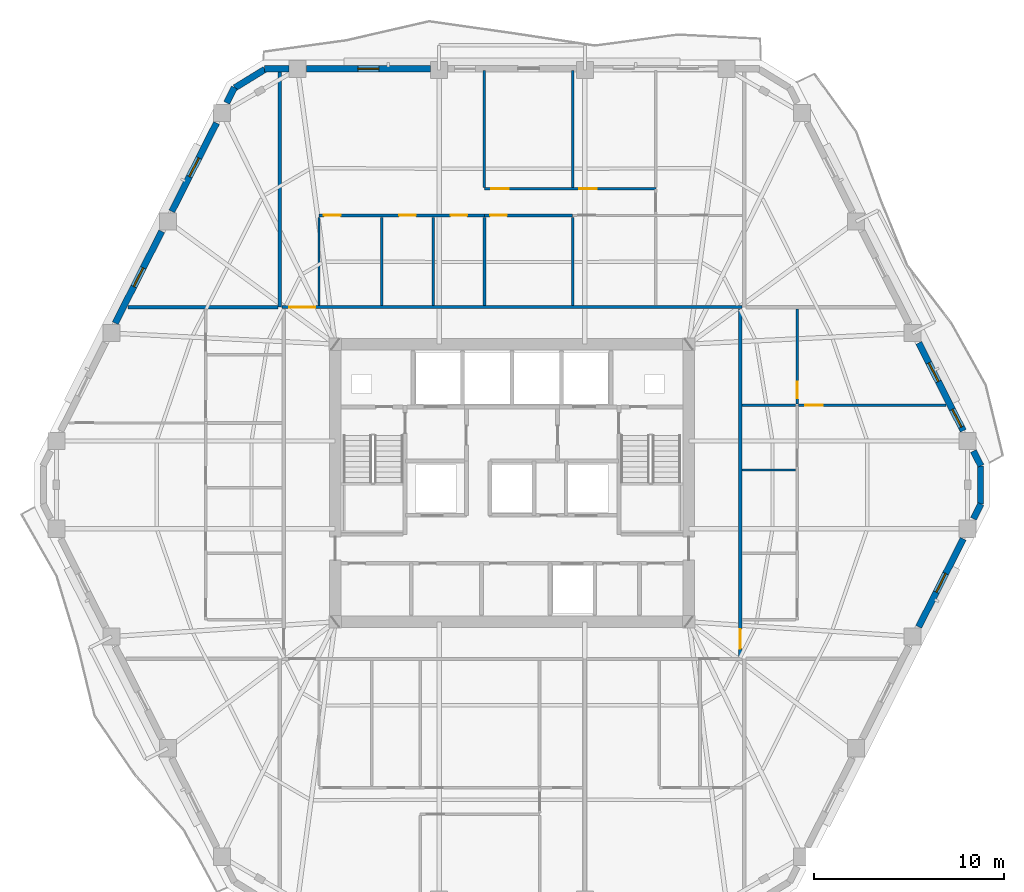
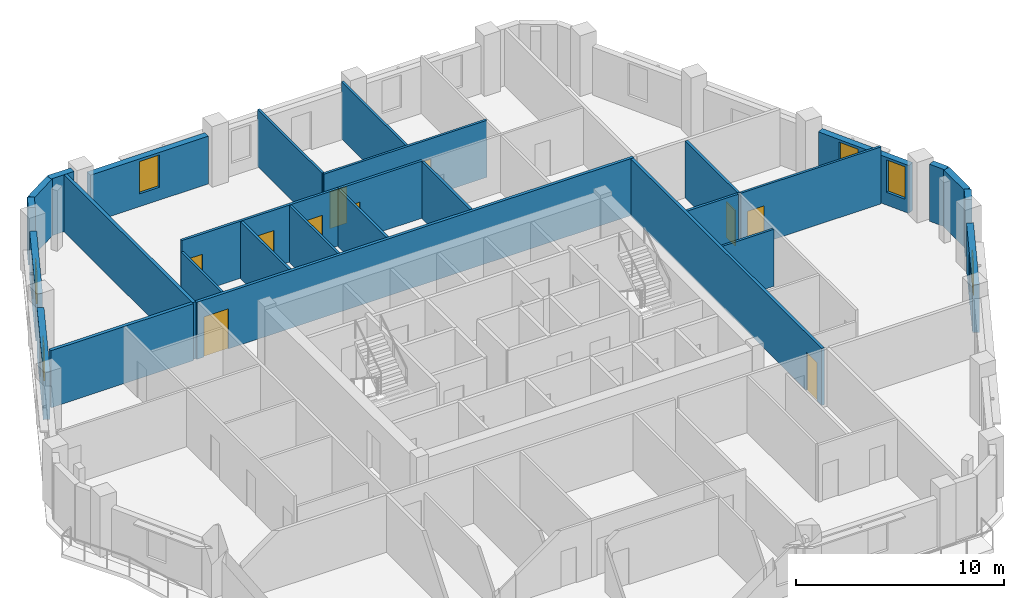
# One storey, part 7 of 12: 29 walls, 10 doors, 6 windows, 16 openings.
"""IFC4 building model written with IfcOpenShell, lengths in metres."""

from ifc_helpers import new_model, si_unit, direction, frame, frame_2d, origin, place, context, subcontext, project, spatial, rectangle, extrude, material, layer, layer_set, type_object, element, fill, save


model = new_model("IFC4")

# Units and contexts
model_context = context("Model", 3, precision=1e-05, world=origin(), true_north=direction((0.0, 1.0)))
body_context = subcontext(model_context, "Body", "Model", "MODEL_VIEW")
ifc_project = project(units=[si_unit("LENGTHUNIT", "METRE"), si_unit("AREAUNIT", "SQUARE_METRE"), si_unit("VOLUMEUNIT", "CUBIC_METRE"), si_unit("PLANEANGLEUNIT", "RADIAN"), si_unit("MASSUNIT", "GRAM", prefix="KILO")], contexts=[model_context])

# Site, building, storey
site_placement = place(None, origin())
site = spatial("IfcSite", under=ifc_project, at=site_placement, CompositionType="ELEMENT")
building_placement = place(site_placement, origin())
building = spatial("IfcBuilding", under=site, at=building_placement, Name="Cinnabar Lancet Tower", CompositionType="ELEMENT")
storey_placement = place(building_placement, frame((0.0, 0.0, 153.5)))
storey = spatial("IfcBuildingStorey", under=building, at=storey_placement, Name="L40", CompositionType="ELEMENT", Elevation=153.5)

# Wall, opening, door
ifc_material_1 = material(Name="Acoustic twin-stud gypsum partition", Category="gypsum")
ifc_layer_1 = layer(ifc_material_1, 0.159912109375)
ifc_layer_set_1 = layer_set([ifc_layer_1], Name="Acoustic twin-stud gypsum partition")
wall_type_1 = type_object("IfcWallType", Name="ARC-WL-CORR-160", PredefinedType="PARTITIONING", material=ifc_layer_set_1)
wall_1_placement = place(storey_placement, frame((20.294921875, 35.14990234375, 0.0), z_axis=(0.0, 0.0, 1.0), x_axis=(1.0, 0.0, 0.0)))
wall_1 = element("IfcWall", 1, at=wall_1_placement, inside=storey, type_object=wall_type_1, Name="L40 Unit N01 Corridor Wall", PredefinedType="PARTITIONING", context=body_context, shape_type="SweptSolid", body=[
    extrude(rectangle(XDim=24.2099609375, YDim=0.159912109375, at=frame_2d((12.10498046875, 0.0))), origin(), (0.0, 0.0, 1.0), 3.340087890625),
])
opening_1_placement = place(wall_1_placement, frame((0.405029296875, 0.0, 0.0)))
opening_1 = element("IfcOpeningElement", 2, at=opening_1_placement, cuts=wall_1, Name="Opening UD-02", PredefinedType="OPENING", context=body_context, shape_type="SweptSolid", body=[
    extrude(rectangle(XDim=1.35009765625, YDim=2.35009765625, at=frame_2d((0.675048828125, 1.175048828125))), frame((0.0, 0.08984375, 0.0), z_axis=(0.0, -1.0, 0.0), x_axis=(1.0, 0.0, 0.0)), (0.0, 0.0, 1.0), 0.179931640625),
])
ifc_material_2 = material(Name="Double-leaf solid timber penthouse entrance door", Category="wood")
door_type_1 = type_object("IfcDoorType", Name="ARC-DR-UNIT-PH", OperationType="NOTDEFINED", PredefinedType="DOOR", material=ifc_material_2)
door_1_placement = place(opening_1_placement, origin())
door_1 = element("IfcDoor", 3, at=door_1_placement, inside=storey, type_object=door_type_1, Name="DR-L40-N01-ENT", OperationType="SINGLE_SWING_RIGHT", OverallHeight=2.35009765625, OverallWidth=1.35009765625, PredefinedType="DOOR", context=body_context, shape_type="SweptSolid", body=[
    extrude(rectangle(XDim=1.35009765625, YDim=2.35009765625, at=frame_2d((0.675048828125, 1.175048828125))), frame((0.0, 0.02490234375, 0.0), z_axis=(0.0, -1.0, 0.0), x_axis=(1.0, 0.0, 0.0)), (0.0, 0.0, 1.0), 0.050048828125),
])
fill(opening_1, door_1)

wall_2_placement = place(storey_placement, frame((44.39990234375, 16.7451171875, 0.0), z_axis=(0.0, 0.0, 1.0), x_axis=(0.0, 1.0, 0.0)))
wall_2 = element("IfcWall", 4, at=wall_2_placement, inside=storey, type_object=wall_type_1, Name="UW-L40-E01-COR", PredefinedType="PARTITIONING", context=body_context, shape_type="SweptSolid", body=[
    extrude(rectangle(XDim=18.309814453125, YDim=0.159912109375, at=frame_2d((9.15478515625, 0.0))), origin(), (0.0, 0.0, 1.0), 3.340087890625),
])
opening_2_placement = place(wall_2_placement, frame((0.449951171875, 0.0, 0.0)))
opening_2 = element("IfcOpeningElement", 5, at=opening_2_placement, cuts=wall_2, Name="Opening UD-01", PredefinedType="OPENING", context=body_context, shape_type="SweptSolid", body=[
    extrude(rectangle(XDim=1.02001953125, YDim=2.25, at=frame_2d((0.510009765625, 1.125))), frame((0.0, 0.08984375, 0.0), z_axis=(0.0, -1.0, 0.0), x_axis=(1.0, 0.0, 0.0)), (0.0, 0.0, 1.0), 0.179931640625),
])
ifc_material_3 = material(Name="Solid timber fire-rated apartment entrance door", Category="wood")
door_type_2 = type_object("IfcDoorType", Name="ARC-DR-UNIT", OperationType="NOTDEFINED", PredefinedType="DOOR", material=ifc_material_3)
door_2_placement = place(opening_2_placement, origin())
door_2 = element("IfcDoor", 6, at=door_2_placement, inside=storey, type_object=door_type_2, Name="DR-L40-E01-ENT", OperationType="SINGLE_SWING_RIGHT", OverallHeight=2.25, OverallWidth=1.02001953125, PredefinedType="DOOR", context=body_context, shape_type="SweptSolid", body=[
    extrude(rectangle(XDim=1.02001953125, YDim=2.25, at=frame_2d((0.510009765625, 1.125))), frame((0.0, 0.02490234375, 0.0), z_axis=(0.0, -1.0, 0.0), x_axis=(1.0, 0.0, 0.0)), (0.0, 0.0, 1.0), 0.050048828125),
])
fill(opening_2, door_2)

# Walls
ifc_material_4 = material(Name="Fire-rated twin-frame acoustic drywall", Category="gypsum")
ifc_layer_2 = layer(ifc_material_4, 0.179931640625)
ifc_layer_set_2 = layer_set([ifc_layer_2], Name="Fire-rated twin-frame acoustic drywall")
wall_type_2 = type_object("IfcWallType", Name="ARC-WL-PARTY-180", PredefinedType="PARTITIONING", material=ifc_layer_set_2)
wall_3_placement = place(storey_placement, frame((20.199951171875, 35.14990234375, 0.0), z_axis=(0.0, 0.0, 1.0), x_axis=(0.0, 1.0, 0.0)))
element("IfcWall", 7, at=wall_3_placement, inside=storey, type_object=wall_type_2, Name="PW-L40-NPTY-202", PredefinedType="PARTITIONING", context=body_context, shape_type="SweptSolid", body=[
    extrude(rectangle(XDim=12.34521484375, YDim=0.179931640625, at=frame_2d((6.172607421875, 0.0))), origin(), (0.0, 0.0, 1.0), 3.340087890625),
])
wall_4_placement = place(storey_placement, frame((12.2099609375, 35.14990234375, 0.0), z_axis=(0.0, 0.0, 1.0), x_axis=(1.0, 0.0, 0.0)))
element("IfcWall", 8, at=wall_4_placement, inside=storey, type_object=wall_type_2, Name="PW-L40-WNB", PredefinedType="PARTITIONING", context=body_context, shape_type="SweptSolid", body=[
    extrude(rectangle(XDim=7.89501953125, YDim=0.179931640625, at=frame_2d((3.947509765625, 0.0))), origin(), (0.0, 0.0, 1.0), 3.340087890625),
])
ifc_material_5 = material(Name="Gypsum plasterboard stud partition", Category="gypsum")
ifc_layer_3 = layer(ifc_material_5, 0.125)
ifc_layer_set_3 = layer_set([ifc_layer_3], Name="Gypsum plasterboard stud partition")
wall_type_3 = type_object("IfcWallType", Name="ARC-WL-UNIT-125", PredefinedType="PARTITIONING", material=ifc_layer_set_3)
wall_5_placement = place(storey_placement, frame((22.25, 35.235107421875, 0.0), z_axis=(0.0, 0.0, 1.0), x_axis=(0.0, 1.0, 0.0)))
element("IfcWall", 9, at=wall_5_placement, inside=storey, type_object=wall_type_3, Name="UW-L40-N01-FOYE", PredefinedType="PARTITIONING", context=body_context, shape_type="SweptSolid", body=[
    extrude(rectangle(XDim=4.625, YDim=0.125, at=frame_2d((2.3125, 0.0))), origin(), (0.0, 0.0, 1.0), 2.721923828125),
])
wall_6_placement = place(storey_placement, frame((28.2529296875, 35.235107421875, 0.0), z_axis=(0.0, 0.0, 1.0), x_axis=(0.0, 1.0, 0.0)))
element("IfcWall", 10, at=wall_6_placement, inside=storey, type_object=wall_type_3, Name="UW-L40-N01-STD", PredefinedType="PARTITIONING", context=body_context, shape_type="SweptSolid", body=[
    extrude(rectangle(XDim=4.625, YDim=0.125, at=frame_2d((2.3125, 0.0))), origin(), (0.0, 0.0, 1.0), 3.340087890625),
])
wall_7_placement = place(storey_placement, frame((30.949951171875, 41.429931640625, 0.0), z_axis=(0.0, 0.0, 1.0), x_axis=(0.0, 1.0, 0.0)))
element("IfcWall", 11, at=wall_7_placement, inside=storey, type_object=wall_type_3, Name="UW-L40-N01-BD2W", PredefinedType="PARTITIONING", context=body_context, shape_type="SweptSolid", body=[
    extrude(rectangle(XDim=6.155029296875, YDim=0.125, at=frame_2d((3.07763671875, 0.0))), origin(), (0.0, 0.0, 1.0), 3.340087890625),
])

# Wall, openings, doors
wall_8_placement = place(storey_placement, frame((30.949951171875, 41.364990234375, 0.0), z_axis=(0.0, 0.0, 1.0), x_axis=(1.0, 0.0, 0.0)))
wall_8 = element("IfcWall", 12, at=wall_8_placement, inside=storey, type_object=wall_type_3, Name="UW-L40-N01-HLN", PredefinedType="PARTITIONING", context=body_context, shape_type="SweptSolid", body=[
    extrude(rectangle(XDim=9.009033203125, YDim=0.125, at=frame_2d((4.50439453125, 0.0))), origin(), (0.0, 0.0, 1.0), 3.340087890625),
])
opening_3_placement = place(wall_8_placement, frame((0.35009765625, 0.0, 0.0)))
opening_3 = element("IfcOpeningElement", 13, at=opening_3_placement, cuts=wall_8, Name="Opening RD-01", PredefinedType="OPENING", context=body_context, shape_type="SweptSolid", body=[
    extrude(rectangle(XDim=0.919921875, YDim=2.14990234375, at=frame_2d((0.4599609375, 1.074951171875))), frame((0.0, 0.072509765625, 0.0), z_axis=(0.0, -1.0, 0.0), x_axis=(1.0, 0.0, 0.0)), (0.0, 0.0, 1.0), 0.14501953125),
])
opening_4_placement = place(wall_8_placement, frame((4.990966796875, 0.0, 0.0)))
opening_4 = element("IfcOpeningElement", 14, at=opening_4_placement, cuts=wall_8, Name="Opening RD-01", PredefinedType="OPENING", context=body_context, shape_type="SweptSolid", body=[
    extrude(rectangle(XDim=0.919921875, YDim=2.14990234375, at=frame_2d((0.4599609375, 1.074951171875))), frame((0.0, 0.072509765625, 0.0), z_axis=(0.0, -1.0, 0.0), x_axis=(1.0, 0.0, 0.0)), (0.0, 0.0, 1.0), 0.14501953125),
])
ifc_material_6 = material(Name="Engineered timber bedroom door", Category="wood")
door_type_3 = type_object("IfcDoorType", Name="ARC-DR-ROOM", OperationType="NOTDEFINED", PredefinedType="DOOR", material=ifc_material_6)
door_3_placement = place(opening_3_placement, origin())
door_3 = element("IfcDoor", 15, at=door_3_placement, inside=storey, type_object=door_type_3, Name="DR-L40-N01-BD2", OperationType="SINGLE_SWING_LEFT", OverallHeight=2.14990234375, OverallWidth=0.919921875, PredefinedType="DOOR", context=body_context, shape_type="SweptSolid", body=[
    extrude(rectangle(XDim=0.919921875, YDim=2.14990234375, at=frame_2d((0.4599609375, 1.074951171875))), frame((0.0, 0.02490234375, 0.0), z_axis=(0.0, -1.0, 0.0), x_axis=(1.0, 0.0, 0.0)), (0.0, 0.0, 1.0), 0.050048828125),
])
fill(opening_3, door_3)
door_4_placement = place(opening_4_placement, origin())
door_4 = element("IfcDoor", 16, at=door_4_placement, inside=storey, type_object=door_type_3, Name="DR-L40-N01-BD3", OperationType="SINGLE_SWING_RIGHT", OverallHeight=2.14990234375, OverallWidth=0.919921875, PredefinedType="DOOR", context=body_context, shape_type="SweptSolid", body=[
    extrude(rectangle(XDim=0.919921875, YDim=2.14990234375, at=frame_2d((0.4599609375, 1.074951171875))), frame((0.0, 0.02490234375, 0.0), z_axis=(0.0, -1.0, 0.0), x_axis=(1.0, 0.0, 0.0)), (0.0, 0.0, 1.0), 0.050048828125),
])
fill(opening_4, door_4)

# Wall
wall_9_placement = place(storey_placement, frame((35.591064453125, 41.429931640625, 0.0), z_axis=(0.0, 0.0, 1.0), x_axis=(0.0, 1.0, 0.0)))
element("IfcWall", 17, at=wall_9_placement, inside=storey, type_object=wall_type_3, Name="UW-L40-N01-MB2W", PredefinedType="PARTITIONING", context=body_context, shape_type="SweptSolid", body=[
    extrude(rectangle(XDim=6.155029296875, YDim=0.125, at=frame_2d((3.07763671875, 0.0))), origin(), (0.0, 0.0, 1.0), 3.340087890625),
])

# Wall, opening, door
wall_10_placement = place(storey_placement, frame((47.47509765625, 29.985107421875, 0.0), z_axis=(0.0, 0.0, 1.0), x_axis=(1.0, 0.0, 0.0)))
wall_10 = element("IfcWall", 18, at=wall_10_placement, inside=storey, type_object=wall_type_3, Name="UW-L40-E01-MBN", PredefinedType="PARTITIONING", context=body_context, shape_type="SweptSolid", body=[
    extrude(rectangle(XDim=7.742919921875, YDim=0.125, at=frame_2d((3.87158203125, 0.0))), origin(), (0.0, 0.0, 1.0), 3.340087890625),
])
opening_5_placement = place(wall_10_placement, frame((0.35009765625, 0.0, 0.0)))
opening_5 = element("IfcOpeningElement", 19, at=opening_5_placement, cuts=wall_10, Name="Opening RD-01", PredefinedType="OPENING", context=body_context, shape_type="SweptSolid", body=[
    extrude(rectangle(XDim=0.919921875, YDim=2.14990234375, at=frame_2d((0.4599609375, 1.074951171875))), frame((0.0, 0.072509765625, 0.0), z_axis=(0.0, -1.0, 0.0), x_axis=(1.0, 0.0, 0.0)), (0.0, 0.0, 1.0), 0.14501953125),
])
door_5_placement = place(opening_5_placement, origin())
door_5 = element("IfcDoor", 20, at=door_5_placement, inside=storey, type_object=door_type_3, Name="DR-L40-E01-MBD", OperationType="SINGLE_SWING_RIGHT", OverallHeight=2.14990234375, OverallWidth=0.919921875, PredefinedType="DOOR", context=body_context, shape_type="SweptSolid", body=[
    extrude(rectangle(XDim=0.919921875, YDim=2.14990234375, at=frame_2d((0.4599609375, 1.074951171875))), frame((0.0, 0.02490234375, 0.0), z_axis=(0.0, -1.0, 0.0), x_axis=(1.0, 0.0, 0.0)), (0.0, 0.0, 1.0), 0.050048828125),
])
fill(opening_5, door_5)

# Wall
wall_11_placement = place(storey_placement, frame((44.485107421875, 26.5849609375, 0.0), z_axis=(0.0, 0.0, 1.0), x_axis=(1.0, 0.0, 0.0)))
element("IfcWall", 21, at=wall_11_placement, inside=storey, type_object=wall_type_3, Name="UW-L40-E01-UDV", PredefinedType="PARTITIONING", context=body_context, shape_type="SweptSolid", body=[
    extrude(rectangle(XDim=2.829833984375, YDim=0.125, at=frame_2d((1.4150390625, 0.0))), origin(), (0.0, 0.0, 1.0), 3.340087890625),
])

# Wall, openings, doors
ifc_material_7 = material(Name="Moisture-resistant cement-board plumbing wall", Category="masonry")
ifc_layer_4 = layer(ifc_material_7, 0.139892578125)
ifc_layer_set_4 = layer_set([ifc_layer_4], Name="Moisture-resistant cement-board plumbing wall")
wall_type_4 = type_object("IfcWallType", Name="ARC-WL-WET-140", PredefinedType="PLUMBINGWALL", material=ifc_layer_set_4)
wall_12_placement = place(storey_placement, frame((22.25, 39.965087890625, 0.0), z_axis=(0.0, 0.0, 1.0), x_axis=(1.0, 0.0, 0.0)))
wall_12 = element("IfcWall", 22, at=wall_12_placement, inside=storey, type_object=wall_type_4, Name="UW-L40-N01-SPL", PredefinedType="PLUMBINGWALL", context=body_context, shape_type="SweptSolid", body=[
    extrude(rectangle(XDim=8.699951171875, YDim=0.139892578125, at=frame_2d((4.35009765625, 0.0))), origin(), (0.0, 0.0, 1.0), 3.340087890625),
])
opening_6_placement = place(wall_12_placement, frame((6.926025390625, 0.0, 0.0)))
opening_6 = element("IfcOpeningElement", 23, at=opening_6_placement, cuts=wall_12, Name="Opening BD-01", PredefinedType="OPENING", context=body_context, shape_type="SweptSolid", body=[
    extrude(rectangle(XDim=0.860107421875, YDim=2.10009765625, at=frame_2d((0.43017578125, 1.050048828125))), frame((0.0, 0.079833984375, 0.0), z_axis=(0.0, -1.0, 0.0), x_axis=(1.0, 0.0, 0.0)), (0.0, 0.0, 1.0), 0.159912109375),
])
opening_7_placement = place(wall_12_placement, frame((0.260009765625, 0.0, 0.0)))
opening_7 = element("IfcOpeningElement", 24, at=opening_7_placement, cuts=wall_12, Name="Opening RD-02", PredefinedType="OPENING", context=body_context, shape_type="SweptSolid", body=[
    extrude(rectangle(XDim=0.8798828125, YDim=2.14990234375, at=frame_2d((0.43994140625, 1.074951171875))), frame((0.0, 0.079833984375, 0.0), z_axis=(0.0, -1.0, 0.0), x_axis=(1.0, 0.0, 0.0)), (0.0, 0.0, 1.0), 0.159912109375),
])
opening_8_placement = place(wall_12_placement, frame((4.215087890625, 0.0, 0.0)))
opening_8 = element("IfcOpeningElement", 25, at=opening_8_placement, cuts=wall_12, Name="Opening RD-02", PredefinedType="OPENING", context=body_context, shape_type="SweptSolid", body=[
    extrude(rectangle(XDim=0.8798828125, YDim=2.14990234375, at=frame_2d((0.43994140625, 1.074951171875))), frame((0.0, 0.079833984375, 0.0), z_axis=(0.0, -1.0, 0.0), x_axis=(1.0, 0.0, 0.0)), (0.0, 0.0, 1.0), 0.159912109375),
])
ifc_material_8 = material(Name="Moisture-resistant timber bathroom door", Category="wood")
door_type_4 = type_object("IfcDoorType", Name="ARC-DR-BATH", OperationType="NOTDEFINED", PredefinedType="DOOR", material=ifc_material_8)
door_6_placement = place(opening_6_placement, origin())
door_6 = element("IfcDoor", 26, at=door_6_placement, inside=storey, type_object=door_type_4, Name="DR-L40-N01-BTH", OperationType="SINGLE_SWING_LEFT", OverallHeight=2.10009765625, OverallWidth=0.860107421875, PredefinedType="DOOR", context=body_context, shape_type="SweptSolid", body=[
    extrude(rectangle(XDim=0.860107421875, YDim=2.10009765625, at=frame_2d((0.43017578125, 1.050048828125))), frame((0.0, 0.02490234375, 0.0), z_axis=(0.0, -1.0, 0.0), x_axis=(1.0, 0.0, 0.0)), (0.0, 0.0, 1.0), 0.050048828125),
])
fill(opening_6, door_6)
ifc_material_9 = material(Name="Engineered timber study door", Category="wood")
door_type_5 = type_object("IfcDoorType", Name="ARC-DR-STUDY", OperationType="NOTDEFINED", PredefinedType="DOOR", material=ifc_material_9)
door_7_placement = place(opening_7_placement, origin())
door_7 = element("IfcDoor", 27, at=door_7_placement, inside=storey, type_object=door_type_5, Name="DR-L40-N01-KIT", OperationType="SINGLE_SWING_LEFT", OverallHeight=2.14990234375, OverallWidth=0.8798828125, PredefinedType="DOOR", context=body_context, shape_type="SweptSolid", body=[
    extrude(rectangle(XDim=0.8798828125, YDim=2.14990234375, at=frame_2d((0.43994140625, 1.074951171875))), frame((0.0, 0.02490234375, 0.0), z_axis=(0.0, -1.0, 0.0), x_axis=(1.0, 0.0, 0.0)), (0.0, 0.0, 1.0), 0.050048828125),
])
fill(opening_7, door_7)
door_8_placement = place(opening_8_placement, origin())
door_8 = element("IfcDoor", 28, at=door_8_placement, inside=storey, type_object=door_type_5, Name="DR-L40-N01-STD", OperationType="SINGLE_SWING_RIGHT", OverallHeight=2.14990234375, OverallWidth=0.8798828125, PredefinedType="DOOR", context=body_context, shape_type="SweptSolid", body=[
    extrude(rectangle(XDim=0.8798828125, YDim=2.14990234375, at=frame_2d((0.43994140625, 1.074951171875))), frame((0.0, 0.02490234375, 0.0), z_axis=(0.0, -1.0, 0.0), x_axis=(1.0, 0.0, 0.0)), (0.0, 0.0, 1.0), 0.050048828125),
])
fill(opening_8, door_8)

# Wall, opening, door
wall_13_placement = place(storey_placement, frame((30.949951171875, 39.965087890625, 0.0), z_axis=(0.0, 0.0, 1.0), x_axis=(1.0, 0.0, 0.0)))
wall_13 = element("IfcWall", 29, at=wall_13_placement, inside=storey, type_object=wall_type_4, Name="UW-L40-N01-SPM", PredefinedType="PLUMBINGWALL", context=body_context, shape_type="SweptSolid", body=[
    extrude(rectangle(XDim=4.64111328125, YDim=0.139892578125, at=frame_2d((2.320556640625, 0.0))), origin(), (0.0, 0.0, 1.0), 3.340087890625),
])
opening_9_placement = place(wall_13_placement, frame((0.300048828125, 0.0, 0.0)))
opening_9 = element("IfcOpeningElement", 30, at=opening_9_placement, cuts=wall_13, Name="Opening RD-02", PredefinedType="OPENING", context=body_context, shape_type="SweptSolid", body=[
    extrude(rectangle(XDim=0.8798828125, YDim=2.14990234375, at=frame_2d((0.43994140625, 1.074951171875))), frame((0.0, 0.079833984375, 0.0), z_axis=(0.0, -1.0, 0.0), x_axis=(1.0, 0.0, 0.0)), (0.0, 0.0, 1.0), 0.159912109375),
])
door_9_placement = place(opening_9_placement, origin())
door_9 = element("IfcDoor", 31, at=door_9_placement, inside=storey, type_object=door_type_5, Name="DR-L40-N01-UTL", OperationType="SINGLE_SWING_RIGHT", OverallHeight=2.14990234375, OverallWidth=0.8798828125, PredefinedType="DOOR", context=body_context, shape_type="SweptSolid", body=[
    extrude(rectangle(XDim=0.8798828125, YDim=2.14990234375, at=frame_2d((0.43994140625, 1.074951171875))), frame((0.0, 0.02490234375, 0.0), z_axis=(0.0, -1.0, 0.0), x_axis=(1.0, 0.0, 0.0)), (0.0, 0.0, 1.0), 0.050048828125),
])
fill(opening_9, door_9)

# Walls
for number, where, z_axis, x_axis, name in (
    (32, (25.555908203125, 35.235107421875, 0.0), (0.0, 0.0, 1.0), (0.0, 1.0, 0.0), "UW-L40-N01-KDV"),
    (33, (30.949951171875, 35.235107421875, 0.0), (0.0, 0.0, 1.0), (0.0, 1.0, 0.0), "UW-L40-N01-ENSW"),
    (34, (35.591064453125, 35.235107421875, 0.0), (0.0, 0.0, 1.0), (0.0, 1.0, 0.0), "UW-L40-N01-ENSE"),
):
    element("IfcWall", number, at=place(storey_placement, frame(where, z_axis=z_axis, x_axis=x_axis)), inside=storey, type_object=wall_type_4, Name=name, PredefinedType="PLUMBINGWALL", context=body_context, shape_type="SweptSolid", body=[
        extrude(rectangle(XDim=4.625, YDim=0.139892578125, at=frame_2d((2.3125, 0.0))), origin(), (0.0, 0.0, 1.0), 3.340087890625),
    ])

# Wall, opening, door
wall_14_placement = place(storey_placement, frame((47.39990234375, 30.054931640625, 0.0), z_axis=(0.0, 0.0, 1.0), x_axis=(0.0, 1.0, 0.0)))
wall_14 = element("IfcWall", 35, at=wall_14_placement, inside=storey, type_object=wall_type_4, Name="UW-L40-E01-SPM", PredefinedType="PLUMBINGWALL", context=body_context, shape_type="SweptSolid", body=[
    extrude(rectangle(XDim=5.0, YDim=0.139892578125, at=frame_2d((2.5, 0.0))), origin(), (0.0, 0.0, 1.0), 3.340087890625),
])
opening_10_placement = place(wall_14_placement, frame((0.300048828125, 0.0, 0.0)))
opening_10 = element("IfcOpeningElement", 36, at=opening_10_placement, cuts=wall_14, Name="Opening BD-01", PredefinedType="OPENING", context=body_context, shape_type="SweptSolid", body=[
    extrude(rectangle(XDim=0.860107421875, YDim=2.10009765625, at=frame_2d((0.43017578125, 1.050048828125))), frame((0.0, 0.079833984375, 0.0), z_axis=(0.0, -1.0, 0.0), x_axis=(1.0, 0.0, 0.0)), (0.0, 0.0, 1.0), 0.159912109375),
])
door_10_placement = place(opening_10_placement, origin())
door_10 = element("IfcDoor", 37, at=door_10_placement, inside=storey, type_object=door_type_4, Name="DR-L40-E01-ENS", OperationType="SINGLE_SWING_RIGHT", OverallHeight=2.10009765625, OverallWidth=0.860107421875, PredefinedType="DOOR", context=body_context, shape_type="SweptSolid", body=[
    extrude(rectangle(XDim=0.860107421875, YDim=2.10009765625, at=frame_2d((0.43017578125, 1.050048828125))), frame((0.0, 0.02490234375, 0.0), z_axis=(0.0, -1.0, 0.0), x_axis=(1.0, 0.0, 0.0)), (0.0, 0.0, 1.0), 0.050048828125),
])
fill(opening_10, door_10)

# Walls
wall_15_placement = place(storey_placement, frame((44.485107421875, 29.985107421875, 0.0), z_axis=(0.0, 0.0, 1.0), x_axis=(1.0, 0.0, 0.0)))
element("IfcWall", 38, at=wall_15_placement, inside=storey, type_object=wall_type_4, Name="UW-L40-E01-ENSN", PredefinedType="PLUMBINGWALL", context=body_context, shape_type="SweptSolid", body=[
    extrude(rectangle(XDim=2.829833984375, YDim=0.139892578125, at=frame_2d((1.4150390625, 0.0))), origin(), (0.0, 0.0, 1.0), 3.340087890625),
])
ifc_material_10 = material(Name="Cinnabar red clay brick", Category="masonry")
ifc_layer_5 = layer(ifc_material_10, 0.340087890625)
ifc_layer_set_5 = layer_set([ifc_layer_5], Name="Cinnabar red clay brick")
wall_type_5 = type_object("IfcWallType", Name="ENV-WL-BRK-RED-340", PredefinedType="STANDARD", material=ifc_layer_set_5)
wall_16_placement = place(storey_placement, frame((57.032958984375, 24.802978515625, 0.0), z_axis=(0.0, 0.0, 1.0), x_axis=(0.0, 1.0, 0.0)))
element("IfcWall", 39, at=wall_16_placement, inside=storey, type_object=wall_type_5, Name="L40 Chamfered Corner Brick Pier 3.1", PredefinedType="STANDARD", context=body_context, shape_type="SweptSolid", body=[
    extrude(rectangle(XDim=1.994140625, YDim=0.340087890625, at=frame_2d((0.9970703125, 0.0))), origin(), (0.0, 0.0, 1.0), 3.340087890625),
])
wall_17_placement = place(storey_placement, frame((19.403076171875, 47.64501953125, 0.0), z_axis=(0.0, 0.0, 1.0), x_axis=(-0.851798915137, -0.523868884523, 0.0)))
element("IfcWall", 40, at=wall_17_placement, inside=storey, type_object=wall_type_5, Name="L40 Chamfered Corner Brick Pier 5.1", PredefinedType="STANDARD", context=body_context, shape_type="SweptSolid", body=[
    extrude(rectangle(XDim=1.847900390625, YDim=0.340087890625, at=frame_2d((0.923828125, 0.0))), origin(), (0.0, 0.0, 1.0), 3.340087890625),
])

# Wall, opening, window
wall_18_placement = place(storey_placement, frame((53.785888671875, 18.337890625, 0.0), z_axis=(0.0, 0.0, 1.0), x_axis=(0.451544220963, 0.892248741392, 0.0)))
wall_18 = element("IfcWall", 41, at=wall_18_placement, inside=storey, type_object=wall_type_5, Name="L40 Face 2 Masonry Bay Wall 4", PredefinedType="STANDARD", context=body_context, shape_type="SweptSolid", body=[
    extrude(rectangle(XDim=5.18017578125, YDim=0.340087890625, at=frame_2d((2.590087890625, 0.0))), origin(), (0.0, 0.0, 1.0), 2.797119140625),
])
opening_11_placement = place(wall_18_placement, frame((2.0400390625, 0.0, 0.75)))
opening_11 = element("IfcOpeningElement", 42, at=opening_11_placement, cuts=wall_18, Name="Opening WN-04", PredefinedType="OPENING", context=body_context, shape_type="SweptSolid", body=[
    extrude(rectangle(XDim=1.10009765625, YDim=1.89697265625, at=frame_2d((0.550048828125, 0.948486328125))), frame((0.0, 0.179931640625, 0.0), z_axis=(0.0, -1.0, 0.0), x_axis=(1.0, 0.0, 0.0)), (0.0, 0.0, 1.0), 0.360107421875),
])
ifc_material_11 = material(Name="Thermally broken bronze-anodized aluminium tall lancet window", Category="aluminium")
window_type = type_object("IfcWindowType", Name="ENV-WN-LANCET-1100", PartitioningType="SINGLE_PANEL", PredefinedType="WINDOW", material=ifc_material_11)
window_1_placement = place(opening_11_placement, origin())
window_1 = element("IfcWindow", 43, at=window_1_placement, inside=storey, type_object=window_type, Name="L40 Face 2 Gothic Lancet Window 4", OverallHeight=1.89697265625, OverallWidth=1.10009765625, PartitioningType="SINGLE_PANEL", PredefinedType="WINDOW", context=body_context, shape_type="SweptSolid", body=[
    extrude(rectangle(XDim=1.10009765625, YDim=1.89697265625, at=frame_2d((0.550048828125, 0.948486328125))), frame((0.0, 0.030029296875, 0.0), z_axis=(0.0, -1.0, 0.0), x_axis=(1.0, 0.0, 0.0)), (0.0, 0.0, 1.0), 0.06005859375),
])
fill(opening_11, window_1)

# Walls
for number, where, z_axis, x_axis, name in (
    (44, (56.660888671875, 24.02001953125, 0.0), (0.0, 0.0, 1.0), (0.451923099039, 0.892056899842, 0.0), "L40 Face 2 Masonry Bay Wall 5"),
    (45, (57.053955078125, 26.803955078125, 0.0), (0.0, 0.0, 1.0), (-0.451809962998, 0.892114206442, 0.0), "L40 Face 3 Masonry Bay Wall 1"),
):
    element("IfcWall", number, at=place(storey_placement, frame(where, z_axis=z_axis, x_axis=x_axis)), inside=storey, type_object=wall_type_5, Name=name, PredefinedType="STANDARD", context=body_context, shape_type="SweptSolid", body=[
        extrude(rectangle(XDim=0.869873046875, YDim=0.340087890625, at=frame_2d((0.43505859375, 0.0))), origin(), (0.0, 0.0, 1.0), 3.340087890625),
    ])

# Wall, openings, windows
wall_19_placement = place(storey_placement, frame((56.125, 28.639892578125, 0.0), z_axis=(0.0, 0.0, 1.0), x_axis=(-0.451544220963, 0.892248741392, 0.0)))
wall_19 = element("IfcWall", 46, at=wall_19_placement, inside=storey, type_object=wall_type_5, Name="L40 Face 3 Masonry Bay Wall 2", PredefinedType="STANDARD", context=body_context, shape_type="SweptSolid", body=[
    extrude(rectangle(XDim=5.18017578125, YDim=0.340087890625, at=frame_2d((2.590087890625, 0.0))), origin(), (0.0, 0.0, 1.0), 2.797119140625),
])
opening_12_placement = place(wall_19_placement, frame((0.219970703125, 0.0, 0.75)))
opening_12 = element("IfcOpeningElement", 47, at=opening_12_placement, cuts=wall_19, Name="Opening WN-04", PredefinedType="OPENING", context=body_context, shape_type="SweptSolid", body=[
    extrude(rectangle(XDim=1.050048828125, YDim=1.89697265625, at=frame_2d((0.52490234375, 0.948486328125))), frame((0.0, 0.179931640625, 0.0), z_axis=(0.0, -1.0, 0.0), x_axis=(1.0, 0.0, 0.0)), (0.0, 0.0, 1.0), 0.360107421875),
])
opening_13_placement = place(wall_19_placement, frame((2.905029296875, 0.0, 0.75)))
opening_13 = element("IfcOpeningElement", 48, at=opening_13_placement, cuts=wall_19, Name="Opening WN-04", PredefinedType="OPENING", context=body_context, shape_type="SweptSolid", body=[
    extrude(rectangle(XDim=1.10009765625, YDim=1.89697265625, at=frame_2d((0.550048828125, 0.948486328125))), frame((0.0, 0.179931640625, 0.0), z_axis=(0.0, -1.0, 0.0), x_axis=(1.0, 0.0, 0.0)), (0.0, 0.0, 1.0), 0.360107421875),
])
window_2_placement = place(opening_12_placement, origin())
window_2 = element("IfcWindow", 49, at=window_2_placement, inside=storey, type_object=window_type, Name="L40 Face 3 Gothic Lancet Window 2", OverallHeight=1.89697265625, OverallWidth=1.050048828125, PartitioningType="SINGLE_PANEL", PredefinedType="WINDOW", context=body_context, shape_type="SweptSolid", body=[
    extrude(rectangle(XDim=1.050048828125, YDim=1.89697265625, at=frame_2d((0.52490234375, 0.948486328125))), frame((0.0, 0.030029296875, 0.0), z_axis=(0.0, -1.0, 0.0), x_axis=(1.0, 0.0, 0.0)), (0.0, 0.0, 1.0), 0.06005859375),
])
fill(opening_12, window_2)
window_3_placement = place(opening_13_placement, origin())
window_3 = element("IfcWindow", 50, at=window_3_placement, inside=storey, type_object=window_type, Name="L40 Split-Bay Gothic Lancet Window 113", OverallHeight=1.89697265625, OverallWidth=1.10009765625, PartitioningType="SINGLE_PANEL", PredefinedType="WINDOW", context=body_context, shape_type="SweptSolid", body=[
    extrude(rectangle(XDim=1.10009765625, YDim=1.89697265625, at=frame_2d((0.550048828125, 0.948486328125))), frame((0.0, 0.030029296875, 0.0), z_axis=(0.0, -1.0, 0.0), x_axis=(1.0, 0.0, 0.0)), (0.0, 0.0, 1.0), 0.06005859375),
])
fill(opening_13, window_3)

# Wall, opening, window
wall_20_placement = place(storey_placement, frame((28.114013671875, 47.669921875, 0.0), z_axis=(0.0, 0.0, 1.0), x_axis=(-1.0, 0.0, 0.0)))
wall_20 = element("IfcWall", 51, at=wall_20_placement, inside=storey, type_object=wall_type_5, Name="L40 Face 4 Masonry Bay Wall 4", PredefinedType="STANDARD", context=body_context, shape_type="SweptSolid", body=[
    extrude(rectangle(XDim=6.529052734375, YDim=0.340087890625, at=frame_2d((3.2646484375, 0.0))), origin(), (0.0, 0.0, 1.0), 2.797119140625),
])
opening_14_placement = place(wall_20_placement, frame((2.715087890625, 0.0, 0.75)))
opening_14 = element("IfcOpeningElement", 52, at=opening_14_placement, cuts=wall_20, Name="Opening WN-04", PredefinedType="OPENING", context=body_context, shape_type="SweptSolid", body=[
    extrude(rectangle(XDim=1.10009765625, YDim=1.89697265625, at=frame_2d((0.550048828125, 0.948486328125))), frame((0.0, 0.179931640625, 0.0), z_axis=(0.0, -1.0, 0.0), x_axis=(1.0, 0.0, 0.0)), (0.0, 0.0, 1.0), 0.360107421875),
])
window_4_placement = place(opening_14_placement, origin())
window_4 = element("IfcWindow", 53, at=window_4_placement, inside=storey, type_object=window_type, Name="L40 Face 4 Gothic Lancet Window 4", OverallHeight=1.89697265625, OverallWidth=1.10009765625, PartitioningType="SINGLE_PANEL", PredefinedType="WINDOW", context=body_context, shape_type="SweptSolid", body=[
    extrude(rectangle(XDim=1.10009765625, YDim=1.89697265625, at=frame_2d((0.550048828125, 0.948486328125))), frame((0.0, 0.030029296875, 0.0), z_axis=(0.0, -1.0, 0.0), x_axis=(1.0, 0.0, 0.0)), (0.0, 0.0, 1.0), 0.06005859375),
])
fill(opening_14, window_4)

# Walls
wall_21_placement = place(storey_placement, frame((20.677001953125, 47.669921875, 0.0), z_axis=(0.0, 0.0, 1.0), x_axis=(-1.0, 0.0, 0.0)))
element("IfcWall", 54, at=wall_21_placement, inside=storey, type_object=wall_type_5, Name="L40 Face 4 Masonry Bay Wall 5", PredefinedType="STANDARD", context=body_context, shape_type="SweptSolid", body=[
    extrude(rectangle(XDim=1.279052734375, YDim=0.340087890625, at=frame_2d((0.6396484375, 0.0))), origin(), (0.0, 0.0, 1.0), 3.340087890625),
])
wall_22_placement = place(storey_placement, frame((17.80908203125, 46.693115234375, 0.0), z_axis=(0.0, 0.0, 1.0), x_axis=(-0.45173600575, -0.892151658133, 0.0)))
element("IfcWall", 55, at=wall_22_placement, inside=storey, type_object=wall_type_5, Name="L40 Face 5 Masonry Bay Wall 1", PredefinedType="STANDARD", context=body_context, shape_type="SweptSolid", body=[
    extrude(rectangle(XDim=0.90576171875, YDim=0.340087890625, at=frame_2d((0.452880859375, 0.0))), origin(), (0.0, 0.0, 1.0), 3.340087890625),
])

# Wall, opening, window
wall_23_placement = place(storey_placement, frame((16.863037109375, 44.822998046875, 0.0), z_axis=(0.0, 0.0, 1.0), x_axis=(-0.451595734115, -0.892222670038, 0.0)))
wall_23 = element("IfcWall", 56, at=wall_23_placement, inside=storey, type_object=wall_type_5, Name="L40 Face 5 Masonry Bay Wall 2", PredefinedType="STANDARD", context=body_context, shape_type="SweptSolid", body=[
    extrude(rectangle(XDim=5.208251953125, YDim=0.340087890625, at=frame_2d((2.60400390625, 0.0))), origin(), (0.0, 0.0, 1.0), 2.797119140625),
])
opening_15_placement = place(wall_23_placement, frame((2.053955078125, 0.0, 0.75)))
opening_15 = element("IfcOpeningElement", 57, at=opening_15_placement, cuts=wall_23, Name="Opening WN-04", PredefinedType="OPENING", context=body_context, shape_type="SweptSolid", body=[
    extrude(rectangle(XDim=1.10009765625, YDim=1.89697265625, at=frame_2d((0.550048828125, 0.948486328125))), frame((0.0, 0.179931640625, 0.0), z_axis=(0.0, -1.0, 0.0), x_axis=(1.0, 0.0, 0.0)), (0.0, 0.0, 1.0), 0.360107421875),
])
window_5_placement = place(opening_15_placement, origin())
window_5 = element("IfcWindow", 58, at=window_5_placement, inside=storey, type_object=window_type, Name="L40 Face 5 Gothic Lancet Window 2", OverallHeight=1.89697265625, OverallWidth=1.10009765625, PartitioningType="SINGLE_PANEL", PredefinedType="WINDOW", context=body_context, shape_type="SweptSolid", body=[
    extrude(rectangle(XDim=1.10009765625, YDim=1.89697265625, at=frame_2d((0.550048828125, 0.948486328125))), frame((0.0, 0.030029296875, 0.0), z_axis=(0.0, -1.0, 0.0), x_axis=(1.0, 0.0, 0.0)), (0.0, 0.0, 1.0), 0.06005859375),
])
fill(opening_15, window_5)

wall_24_placement = place(storey_placement, frame((13.98193359375, 39.12890625, 0.0), z_axis=(0.0, 0.0, 1.0), x_axis=(-0.451491174807, -0.892275584711, 0.0)))
wall_24 = element("IfcWall", 59, at=wall_24_placement, inside=storey, type_object=wall_type_5, Name="L40 Face 5 Masonry Bay Wall 3", PredefinedType="STANDARD", context=body_context, shape_type="SweptSolid", body=[
    extrude(rectangle(XDim=5.404296875, YDim=0.340087890625, at=frame_2d((2.7021484375, 0.0))), origin(), (0.0, 0.0, 1.0), 2.797119140625),
])
opening_16_placement = place(wall_24_placement, frame((2.152099609375, 0.0, 0.75)))
opening_16 = element("IfcOpeningElement", 60, at=opening_16_placement, cuts=wall_24, Name="Opening WN-04", PredefinedType="OPENING", context=body_context, shape_type="SweptSolid", body=[
    extrude(rectangle(XDim=1.10009765625, YDim=1.89697265625, at=frame_2d((0.550048828125, 0.948486328125))), frame((0.0, 0.179931640625, 0.0), z_axis=(0.0, -1.0, 0.0), x_axis=(1.0, 0.0, 0.0)), (0.0, 0.0, 1.0), 0.360107421875),
])
window_6_placement = place(opening_16_placement, origin())
window_6 = element("IfcWindow", 61, at=window_6_placement, inside=storey, type_object=window_type, Name="L40 Face 5 Gothic Lancet Window 3", OverallHeight=1.89697265625, OverallWidth=1.10009765625, PartitioningType="SINGLE_PANEL", PredefinedType="WINDOW", context=body_context, shape_type="SweptSolid", body=[
    extrude(rectangle(XDim=1.10009765625, YDim=1.89697265625, at=frame_2d((0.550048828125, 0.948486328125))), frame((0.0, 0.030029296875, 0.0), z_axis=(0.0, -1.0, 0.0), x_axis=(1.0, 0.0, 0.0)), (0.0, 0.0, 1.0), 0.06005859375),
])
fill(opening_16, window_6)

save(model, "model.ifc")
